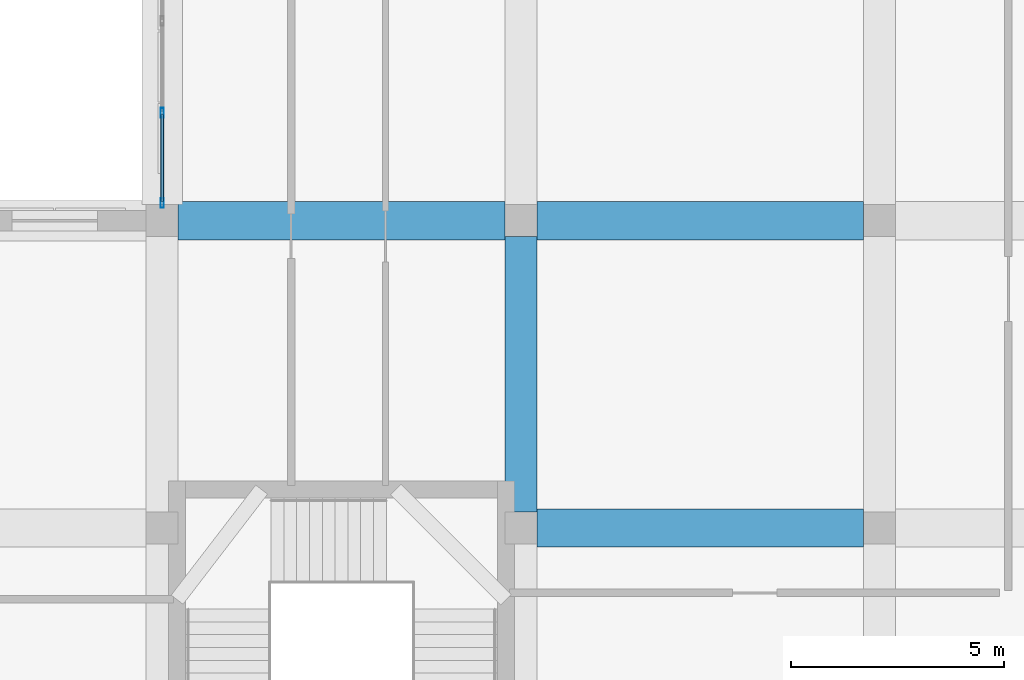
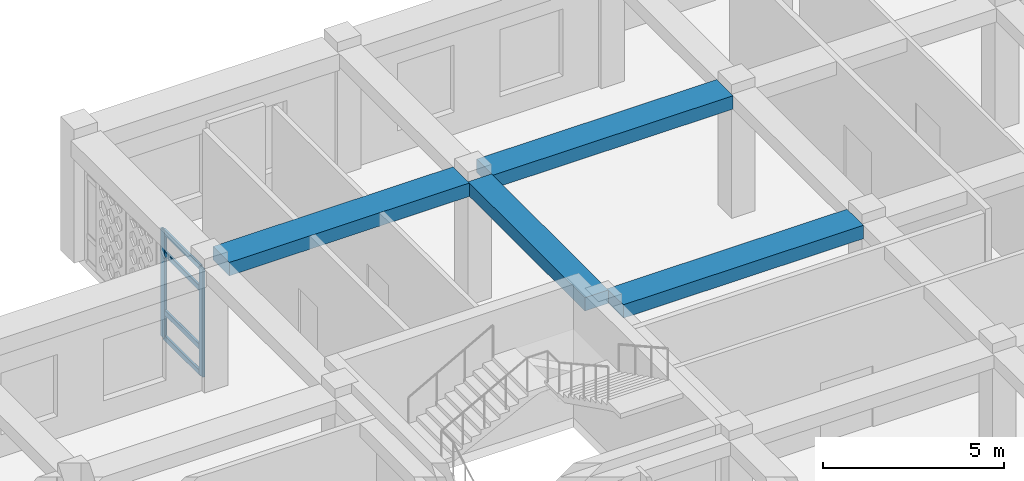
# One storey, part 38 of 121: 6 members, 4 beams, 1 element without a shape of its own.
"""IFC4 building model written with IfcOpenShell, lengths in metres."""

from ifc_helpers import new_model, si_unit, derived_unit, direction, frame, origin, origin_2d, place, context, subcontext, project, spatial, rectangle, hollow_rectangle, extrude, material, material_profile, profile_set, type_object, element, aggregate, save


model = new_model("IFC4")

# Units and contexts
model_context = context("Model", 3, precision=1e-05, world=origin(), true_north=direction((0.0, 1.0)))
body_context = subcontext(model_context, "Body", "Model", "MODEL_VIEW")
ifc_project = project(units=[si_unit("LENGTHUNIT", "METRE"), si_unit("AREAUNIT", "SQUARE_METRE"), si_unit("VOLUMEUNIT", "CUBIC_METRE"), si_unit("PLANEANGLEUNIT", "RADIAN"), si_unit("MASSUNIT", "GRAM", prefix="KILO"), derived_unit("THERMALTRANSMITTANCEUNIT", [(si_unit("POWERUNIT", "WATT"), 1), (si_unit("LENGTHUNIT", "METRE"), -2), (si_unit("THERMODYNAMICTEMPERATUREUNIT", "KELVIN"), -1)])], contexts=[model_context])

# Site, building, storey
site_placement = place(None, origin())
site = spatial("IfcSite", under=ifc_project, at=site_placement, CompositionType="ELEMENT")
building_placement = place(site_placement, origin())
building = spatial("IfcBuilding", under=site, at=building_placement, Name="Veybourne Emporium", CompositionType="ELEMENT")
storey_placement = place(building_placement, frame((0.0, 0.0, 5.39990234375)))
storey = spatial("IfcBuildingStorey", under=building, at=storey_placement, Name="L01", CompositionType="ELEMENT", Elevation=5.39990234375)

# Curtain wall, members
ifc_material_1 = material(Name="Patinated Architectural Bronze", Category="bronze")
curtain_wall_type = type_object("IfcCurtainWallType", Name="CWSystem_CWS-02", PredefinedType="NOTDEFINED", material=ifc_material_1)
curtain_wall_placement = place(storey_placement, origin())
curtain_wall = element("IfcCurtainWall", 1, at=curtain_wall_placement, inside=storey, type_object=curtain_wall_type, Name="L01 bronze glazed curtain wall CWS-02 (018)", PredefinedType="NOTDEFINED")
ifc_material_profile_1 = material_profile(ifc_material_1, hollow_rectangle(XDim=0.074951171875, YDim=0.22998046875, WallThickness=0.0048828125, InnerFilletRadius=0.007568359375, OuterFilletRadius=0.012451171875, at=origin_2d()), Name="CWM 75x230x5")
ifc_profile_set_1 = profile_set([ifc_material_profile_1], Name="Patinated Architectural Bronze")
member_type_1 = type_object("IfcMemberType", Name="CWMullion_CW-M2", PredefinedType="MULLION", material=ifc_profile_set_1)
member_1_placement = place(storey_placement, frame((16.800048828125, 79.612548828125, 0.0), z_axis=(0.0, 0.0, 1.0), x_axis=(-1.0, 0.0, 0.0)))
member_1 = element("IfcMember", 2, at=member_1_placement, type_object=member_type_1, Name="CWS-02 mullion 1", PredefinedType="MULLION", context=body_context, shape_type="SweptSolid", body=[
    extrude(hollow_rectangle(XDim=0.074951171875, YDim=0.22998046875, WallThickness=0.0048828125, InnerFilletRadius=0.007568359375, OuterFilletRadius=0.012451171875, at=origin_2d()), origin(), (0.0, 0.0, 1.0), 3.630126953125),
])
member_2_placement = place(storey_placement, frame((16.800048828125, 81.72509765625, 0.0), z_axis=(0.0, 0.0, 1.0), x_axis=(-1.0, 0.0, 0.0)))
member_2 = element("IfcMember", 3, at=member_2_placement, type_object=member_type_1, Name="CWS-02 mullion 2", PredefinedType="MULLION", context=body_context, shape_type="SweptSolid", body=[
    extrude(hollow_rectangle(XDim=0.074951171875, YDim=0.22998046875, WallThickness=0.0048828125, InnerFilletRadius=0.007568359375, OuterFilletRadius=0.012451171875, at=origin_2d()), origin(), (0.0, 0.0, 1.0), 3.630126953125),
])
ifc_material_profile_2 = material_profile(ifc_material_1, hollow_rectangle(XDim=0.074951171875, YDim=0.179931640625, WallThickness=0.0048828125, InnerFilletRadius=0.007568359375, OuterFilletRadius=0.012451171875, at=origin_2d()), Name="CWT 75x180x5")
ifc_profile_set_2 = profile_set([ifc_material_profile_2], Name="Patinated Architectural Bronze")
member_type_2 = type_object("IfcMemberType", Name="CWTransom_CW-T2", PredefinedType="NOTDEFINED", material=ifc_profile_set_2)
member_3_placement = place(storey_placement, frame((16.800048828125, 79.64990234375, 0.03759765625), z_axis=(0.0, 1.0, 0.0), x_axis=(-1.0, 0.0, 0.0)))
member_3 = element("IfcMember", 4, at=member_3_placement, type_object=member_type_2, Name="CWS-02 transom 1.1", ObjectType="TRANSOM", PredefinedType="USERDEFINED", context=body_context, shape_type="SweptSolid", body=[
    extrude(hollow_rectangle(XDim=0.074951171875, YDim=0.179931640625, WallThickness=0.0048828125, InnerFilletRadius=0.007568359375, OuterFilletRadius=0.012451171875, at=origin_2d()), origin(), (0.0, 0.0, 1.0), 2.03759765625),
])
member_4_placement = place(storey_placement, frame((16.800048828125, 79.64990234375, 0.900146484375), z_axis=(0.0, 1.0, 0.0), x_axis=(-1.0, 0.0, 0.0)))
member_4 = element("IfcMember", 5, at=member_4_placement, type_object=member_type_2, Name="CWS-02 transom 1.2", ObjectType="TRANSOM", PredefinedType="USERDEFINED", context=body_context, shape_type="SweptSolid", body=[
    extrude(hollow_rectangle(XDim=0.074951171875, YDim=0.179931640625, WallThickness=0.0048828125, InnerFilletRadius=0.007568359375, OuterFilletRadius=0.012451171875, at=origin_2d()), origin(), (0.0, 0.0, 1.0), 2.03759765625),
])
member_5_placement = place(storey_placement, frame((16.800048828125, 79.64990234375, 2.880126953125), z_axis=(0.0, 1.0, 0.0), x_axis=(-1.0, 0.0, 0.0)))
member_5 = element("IfcMember", 6, at=member_5_placement, type_object=member_type_2, Name="CWS-02 transom 1.3", ObjectType="TRANSOM", PredefinedType="USERDEFINED", context=body_context, shape_type="SweptSolid", body=[
    extrude(hollow_rectangle(XDim=0.074951171875, YDim=0.179931640625, WallThickness=0.0048828125, InnerFilletRadius=0.007568359375, OuterFilletRadius=0.012451171875, at=origin_2d()), origin(), (0.0, 0.0, 1.0), 2.03759765625),
])
member_6_placement = place(storey_placement, frame((16.800048828125, 79.64990234375, 3.592529296875), z_axis=(0.0, 1.0, 0.0), x_axis=(-1.0, 0.0, 0.0)))
member_6 = element("IfcMember", 7, at=member_6_placement, type_object=member_type_2, Name="CWS-02 transom 1.4", ObjectType="TRANSOM", PredefinedType="USERDEFINED", context=body_context, shape_type="SweptSolid", body=[
    extrude(hollow_rectangle(XDim=0.074951171875, YDim=0.179931640625, WallThickness=0.0048828125, InnerFilletRadius=0.007568359375, OuterFilletRadius=0.012451171875, at=origin_2d()), origin(), (0.0, 0.0, 1.0), 2.03759765625),
])
aggregate(curtain_wall, [member_1, member_2, member_3, member_4, member_5, member_6])

# Beams
ifc_material_2 = material(Name="Concrete C32/40", Category="concrete")
ifc_material_profile_3 = material_profile(ifc_material_2, rectangle(XDim=0.89990234375, YDim=0.449951171875, at=origin_2d()), Name="RC 900x450")
ifc_profile_set_3 = profile_set([ifc_material_profile_3], Name="Concrete C32/40")
beam_type_1 = type_object("IfcBeamType", Name="RCBeam_BB-03", PredefinedType="BEAM", material=ifc_profile_set_3)
beam_1_placement = place(storey_placement, frame((17.175048828125, 79.199951171875, 3.955078125), z_axis=(1.0, 0.0, 0.0), x_axis=(0.0, 1.0, 0.0)))
element("IfcBeam", 8, at=beam_1_placement, inside=storey, type_object=beam_type_1, Name="L01 X-grid beam BB-03 (2,11)", PredefinedType="BEAM", context=body_context, shape_type="SweptSolid", body=[
    extrude(rectangle(XDim=0.89990234375, YDim=0.449951171875, at=origin_2d()), origin(), (0.0, 0.0, 1.0), 7.64990234375),
])
for number, where, z_axis, x_axis, name in (
    (9, (25.574951171875, 72.0, 3.955078125), (1.0, 0.0, 0.0), (0.0, 1.0, 0.0), "L01 X-grid beam BB-03 (3,10)"),
    (10, (25.574951171875, 79.199951171875, 3.955078125), (1.0, 0.0, 0.0), (0.0, 1.0, 0.0), "L01 X-grid beam BB-03 (3,11)"),
):
    element("IfcBeam", number, at=place(storey_placement, frame(where, z_axis=z_axis, x_axis=x_axis)), inside=storey, type_object=beam_type_1, Name=name, PredefinedType="BEAM", context=body_context, shape_type="SweptSolid", body=[
        extrude(rectangle(XDim=0.89990234375, YDim=0.449951171875, at=origin_2d()), origin(), (0.0, 0.0, 1.0), 7.650146484375),
    ])
ifc_material_profile_4 = material_profile(ifc_material_2, rectangle(XDim=0.75, YDim=0.449951171875, at=origin_2d()), Name="RC 750x450")
ifc_profile_set_4 = profile_set([ifc_material_profile_4], Name="Concrete C32/40")
beam_type_2 = type_object("IfcBeamType", Name="RCBeam_BB-04", PredefinedType="BEAM", material=ifc_profile_set_4)
beam_2_placement = place(storey_placement, frame((25.199951171875, 72.375, 3.955078125), z_axis=(0.0, 1.0, 0.0), x_axis=(-1.0, 0.0, 0.0)))
element("IfcBeam", 11, at=beam_2_placement, inside=storey, type_object=beam_type_2, Name="L01 Y-grid beam BB-04 (3,10)", PredefinedType="BEAM", context=body_context, shape_type="SweptSolid", body=[
    extrude(rectangle(XDim=0.75, YDim=0.449951171875, at=origin_2d()), origin(), (0.0, 0.0, 1.0), 6.449951171875),
])

save(model, "model.ifc")
